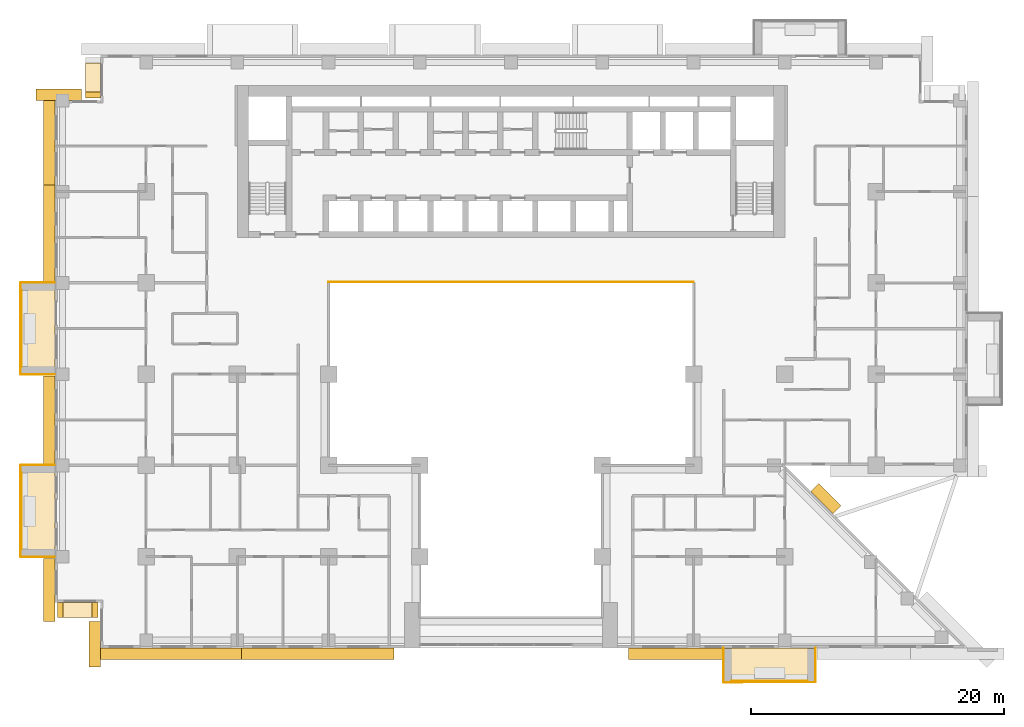
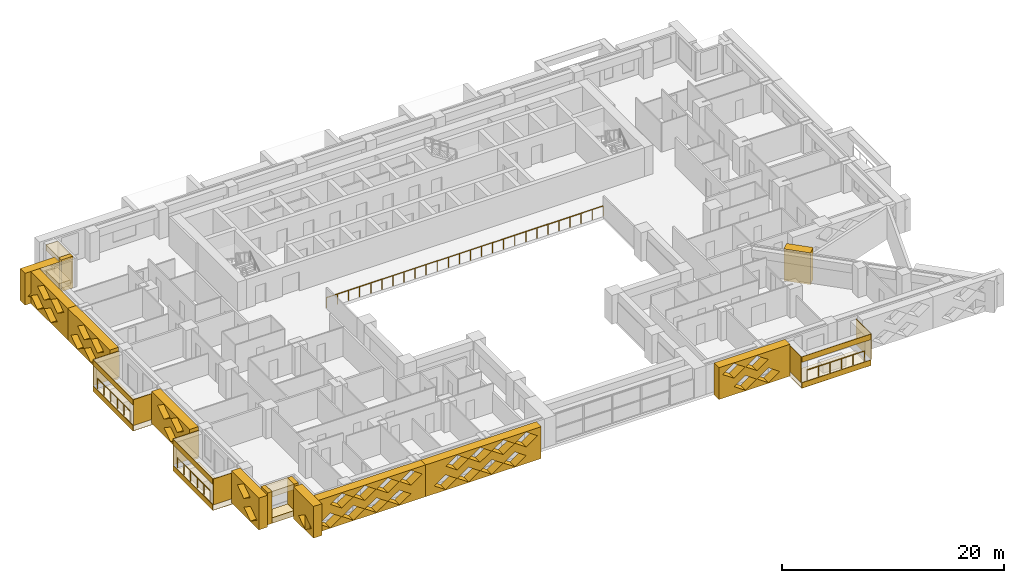
# One storey, part 13 of 16: 32 coverings, 4 railings.
"""IFC4 building model written with IfcOpenShell, lengths in metres."""

import ifcopenshell
import ifcopenshell.guid

model = None  # the IFC model being written
_history = None  # IfcOwnerHistory: only IFC2X3 demands one
_inside = {}  # id of a spatial element -> (the spatial element, [elements in it])
_under = {}  # id of a project, library or spatial element -> (it, [spatial elements below it])
_declared = {}  # id of a project -> (the project, [libraries it declares])
_typed = {}  # id of a type object -> (the type object, [elements of that type])
_made_of = {}  # id of a material, layer set ... -> (it, [elements and type objects made of it])


def new_model(schema):
    """Start an empty IFC model of exactly this schema.

    Asked for "IFC4X3", IfcOpenShell would pick the latest addendum, in which some entities
    have other attributes; the version numbers below select the first issue.
    IFC2X3 requires an IfcOwnerHistory on every rooted entity: one is made here for all.
    """
    global model, _history
    if schema == "IFC4X3":
        model = ifcopenshell.file(schema_version=(4, 3, 0, 0))
    else:
        model = ifcopenshell.file(schema=schema)
    _inside.clear()
    _under.clear()
    _declared.clear()
    _typed.clear()
    _made_of.clear()
    _history = None
    if model.schema == "IFC2X3":
        org = make("IfcOrganization", Name="unknown")
        user = make(
            "IfcPersonAndOrganization",
            ThePerson=make("IfcPerson", FamilyName="unknown"),
            TheOrganization=org,
        )
        app = make(
            "IfcApplication",
            ApplicationDeveloper=org,
            Version="unknown",
            ApplicationFullName="unknown",
            ApplicationIdentifier="unknown",
        )
        _history = make(
            "IfcOwnerHistory",
            OwningUser=user,
            OwningApplication=app,
            ChangeAction="ADDED",
            CreationDate=0,
        )
    return model


def make(cls, **values):
    """One entity of the class cls with the attributes given. An attribute that is None is left unset."""
    return model.create_entity(
        cls, **{name: value for name, value in values.items() if value is not None}
    )


def rooted(cls, **values):
    """An entity with a GlobalId (a new one), such as an element, a storey or a relation."""
    return make(cls, GlobalId=ifcopenshell.guid.new(), OwnerHistory=_history, **values)


def si_unit(unit_type, name, prefix=None):
    """IfcSIUnit, for example si_unit("LENGTHUNIT", "METRE", prefix="MILLI")."""
    return make("IfcSIUnit", UnitType=unit_type, Prefix=prefix, Name=name)


def assignment(units):
    """IfcUnitAssignment: the units of a project."""
    return None if units is None else make("IfcUnitAssignment", Units=units)


def point(xyz):
    """IfcCartesianPoint."""
    return None if xyz is None else make("IfcCartesianPoint", Coordinates=xyz)


def direction(xyz):
    """IfcDirection."""
    return None if xyz is None else make("IfcDirection", DirectionRatios=xyz)


def frame(location, z_axis=None, x_axis=None):
    """IfcAxis2Placement3D, a coordinate frame: its origin and axes. An axis left out is left unset."""
    return make(
        "IfcAxis2Placement3D",
        Location=point(location),
        Axis=direction(z_axis),
        RefDirection=direction(x_axis),
    )


def frame_2d(location, x_axis=None):
    """IfcAxis2Placement2D, a coordinate frame in the plane: its origin and x axis."""
    return make(
        "IfcAxis2Placement2D", Location=point(location), RefDirection=direction(x_axis)
    )


def origin():
    """The frame at (0, 0, 0) with its axes left unset."""
    return frame((0.0, 0.0, 0.0))


def origin_2d():
    """The frame at (0, 0) in the plane with its x axis left unset."""
    return frame_2d((0.0, 0.0))


def place(relative_to, where):
    """IfcLocalPlacement: puts the frame where relative to a parent placement (None: the world)."""
    return make(
        "IfcLocalPlacement", PlacementRelTo=relative_to, RelativePlacement=where
    )


def context(
    kind, dimensions, precision=None, world=None, true_north=None, identifier=None
):
    """IfcGeometricRepresentationContext, for example the 3D "Model" context."""
    return make(
        "IfcGeometricRepresentationContext",
        ContextIdentifier=identifier,
        ContextType=kind,
        CoordinateSpaceDimension=dimensions,
        Precision=precision,
        WorldCoordinateSystem=world,
        TrueNorth=true_north,
    )


def subcontext(parent, identifier, kind, view, scale=None):
    """IfcGeometricRepresentationSubContext, for example "Body" below "Model"."""
    return make(
        "IfcGeometricRepresentationSubContext",
        ContextIdentifier=identifier,
        ContextType=kind,
        ParentContext=parent,
        TargetScale=scale,
        TargetView=view,
    )


def project(units=None, contexts=None):
    """IfcProject with its units and contexts."""
    return rooted(
        "IfcProject",
        Name="project",
        RepresentationContexts=contexts,
        UnitsInContext=assignment(units),
    )


def spatial(cls, under=None, at=None, **own):
    """A site, building, storey or space (cls), placed at a placement, below another one or the project."""
    s = rooted(cls, ObjectPlacement=at, **own)
    if under is not None:
        _under.setdefault(under.id(), (under, []))[1].append(s)
    return s


def polyline(points):
    """IfcPolyline through the points."""
    return make("IfcPolyline", Points=[point(p) for p in points])


def profile(cls, at=None, kind="AREA", **sizes):
    """A parametric profile (cls). Its sizes go by their IFC names, for example OverallWidth=200.0."""
    return make(cls, ProfileType=kind, Position=at, **sizes)


def circle(**sizes):
    """IfcCircleProfileDef."""
    return profile("IfcCircleProfileDef", **sizes)


def outline(outer, holes=None, kind="AREA"):
    """IfcArbitraryClosedProfileDef: a profile drawn as a closed curve; with holes, ...WithVoids."""
    if holes is None:
        return make("IfcArbitraryClosedProfileDef", ProfileType=kind, OuterCurve=outer)
    return make(
        "IfcArbitraryProfileDefWithVoids",
        ProfileType=kind,
        OuterCurve=outer,
        InnerCurves=holes,
    )


def extrude(swept, where, along, depth):
    """IfcExtrudedAreaSolid: the profile swept, set in the frame where, extruded along a direction by depth."""
    return make(
        "IfcExtrudedAreaSolid",
        SweptArea=swept,
        Position=where,
        ExtrudedDirection=direction(along),
        Depth=depth,
    )


def shape(context_of_items, identifier, shape_type, items):
    """IfcShapeRepresentation: the items that make up one representation, for example the "Body"."""
    return make(
        "IfcShapeRepresentation",
        ContextOfItems=context_of_items,
        RepresentationIdentifier=identifier,
        RepresentationType=shape_type,
        Items=items,
    )


def material(Name=None, Category=None):
    """IfcMaterial."""
    return make("IfcMaterial", Name=Name, Category=Category)


def layer(
    of_material, thickness, ventilated=None, Name=None, Category=None, Priority=None
):
    """IfcMaterialLayer: one layer of a wall or slab, of a material (None: an air gap)."""
    return make(
        "IfcMaterialLayer",
        Material=of_material,
        LayerThickness=thickness,
        IsVentilated=ventilated,
        Name=Name,
        Category=Category,
        Priority=Priority,
    )


def layer_set(layers, Name=None):
    """IfcMaterialLayerSet."""
    return make("IfcMaterialLayerSet", MaterialLayers=layers, LayerSetName=Name)


def made_of(thing, what):
    """Note that an element or type object is made of a material, layer set ...; save() writes the relation."""
    if what is not None:
        _made_of.setdefault(what.id(), (what, []))[1].append(thing)
    return thing


def type_object(cls, material=None, **own):
    """A type object (cls), such as IfcWallType, which elements share."""
    return made_of(rooted(cls, **own), material)


def element(
    cls,
    number,
    at=None,
    inside=None,
    cuts=None,
    type_object=None,
    material=None,
    context=None,
    identifier="Body",
    shape_type=None,
    held_by="IfcProductDefinitionShape",
    body=None,
    shapes=None,
    **own,
):
    """One element of the class cls, such as IfcWall. Its Tag is "e" and its number.

    at: its placement. inside: the storey or other place that contains it. cuts: it is an
    opening in that element (IfcRelVoidsElement). A single representation is given by context,
    identifier, shape_type and body (its items); several are given by shapes. held_by: the class
    of the entity that holds the representations. save() writes the other relations.
    """
    e = rooted(cls, Tag="e%d" % number, ObjectPlacement=at, **own)
    if body is not None:
        shapes = [shape(context, identifier, shape_type, body)]
    if shapes is not None:
        e.Representation = make(held_by, Representations=shapes)
    if inside is not None:
        _inside.setdefault(inside.id(), (inside, []))[1].append(e)
    if cuts is not None:
        rooted(
            "IfcRelVoidsElement", RelatingBuildingElement=cuts, RelatedOpeningElement=e
        )
    if type_object is not None:
        _typed.setdefault(type_object.id(), (type_object, []))[1].append(e)
    return made_of(e, material)


def aggregate(whole, parts):
    """IfcRelAggregates: a whole, such as a stair, and the parts it consists of."""
    return rooted("IfcRelAggregates", RelatingObject=whole, RelatedObjects=parts)


def save(model, path):
    """Write the relations noted so far, then the file.

    IfcRelAggregates (storeys below a building ...), IfcRelContainedInSpatialStructure (elements
    in a storey), IfcRelDefinesByType, IfcRelAssociatesMaterial and IfcRelDeclares: one each for
    every whole, place, type object, material and project.
    """
    for whole, parts in _under.values():
        aggregate(whole, parts)
    for where, things in _inside.values():
        rooted(
            "IfcRelContainedInSpatialStructure",
            RelatedElements=things,
            RelatingStructure=where,
        )
    for kind, things in _typed.values():
        rooted("IfcRelDefinesByType", RelatedObjects=things, RelatingType=kind)
    for what, things in _made_of.values():
        rooted("IfcRelAssociatesMaterial", RelatedObjects=things, RelatingMaterial=what)
    for by, libraries in _declared.values():
        rooted("IfcRelDeclares", RelatingContext=by, RelatedDefinitions=libraries)
    model.write(path)


model = new_model("IFC4")

# Units and contexts
model_context = context("Model", 3, precision=1e-05, world=origin(), true_north=direction((0.0, 1.0)))
body_context = subcontext(model_context, "Body", "Model", "MODEL_VIEW")
ifc_project = project(units=[si_unit("LENGTHUNIT", "METRE"), si_unit("AREAUNIT", "SQUARE_METRE"), si_unit("VOLUMEUNIT", "CUBIC_METRE"), si_unit("PLANEANGLEUNIT", "RADIAN"), si_unit("MASSUNIT", "GRAM", prefix="KILO")], contexts=[model_context])

# Site, building, storey
site_placement = place(None, origin())
site = spatial("IfcSite", under=ifc_project, at=site_placement, CompositionType="ELEMENT")
building_placement = place(site_placement, origin())
building = spatial("IfcBuilding", under=site, at=building_placement, Name="Saffron Iwan Residences", CompositionType="ELEMENT")
storey_placement = place(building_placement, frame((0.0, 0.0, 90.0)))
storey = spatial("IfcBuildingStorey", under=building, at=storey_placement, Name="L23", CompositionType="ELEMENT", Elevation=90.0)

# Railings
ifc_material_1 = material(Name="Stainless steel 316", Category="steel")
railing_type_1 = type_object("IfcRailingType", Name="Atrium guard 1150", PredefinedType="GUARDRAIL", material=ifc_material_1)
railing_1_placement = place(storey_placement, frame((36.0, 62.47509765625, 0.0)))
element("IfcRailing", 1, at=railing_1_placement, inside=storey, type_object=railing_type_1, Name="Atrium guard L23", PredefinedType="GUARDRAIL", context=body_context, shape_type="SweptSolid", body=[
    extrude(circle(Radius=0.02392578125, at=origin_2d()), frame((0.0, 0.0, 1.1259765625), z_axis=(1.0, 0.0, 0.0), x_axis=(0.0, 1.0, 0.0)), (0.0, 0.0, 1.0), 28.800048828125),
    extrude(circle(Radius=0.02099609375, at=origin_2d()), origin(), (0.0, 0.0, 1.0), 1.101806640625),
    extrude(circle(Radius=0.02099609375, at=origin_2d()), frame((1.152099609375, 0.0, 0.0)), (0.0, 0.0, 1.0), 1.101806640625),
    extrude(circle(Radius=0.02099609375, at=origin_2d()), frame((2.303955078125, 0.0, 0.0)), (0.0, 0.0, 1.0), 1.101806640625),
    extrude(circle(Radius=0.02099609375, at=origin_2d()), frame((3.4560546875, 0.0, 0.0)), (0.0, 0.0, 1.0), 1.101806640625),
    extrude(circle(Radius=0.02099609375, at=origin_2d()), frame((4.60791015625, 0.0, 0.0)), (0.0, 0.0, 1.0), 1.101806640625),
    extrude(circle(Radius=0.02099609375, at=origin_2d()), frame((5.760009765625, 0.0, 0.0)), (0.0, 0.0, 1.0), 1.101806640625),
    extrude(circle(Radius=0.02099609375, at=origin_2d()), frame((6.912109375, 0.0, 0.0)), (0.0, 0.0, 1.0), 1.101806640625),
    extrude(circle(Radius=0.02099609375, at=origin_2d()), frame((8.06396484375, 0.0, 0.0)), (0.0, 0.0, 1.0), 1.101806640625),
    extrude(circle(Radius=0.02099609375, at=origin_2d()), frame((9.216064453125, 0.0, 0.0)), (0.0, 0.0, 1.0), 1.101806640625),
    extrude(circle(Radius=0.02099609375, at=origin_2d()), frame((10.367919921875, 0.0, 0.0)), (0.0, 0.0, 1.0), 1.101806640625),
    extrude(circle(Radius=0.02099609375, at=origin_2d()), frame((11.52001953125, 0.0, 0.0)), (0.0, 0.0, 1.0), 1.101806640625),
    extrude(circle(Radius=0.02099609375, at=origin_2d()), frame((12.672119140625, 0.0, 0.0)), (0.0, 0.0, 1.0), 1.101806640625),
    extrude(circle(Radius=0.02099609375, at=origin_2d()), frame((13.823974609375, 0.0, 0.0)), (0.0, 0.0, 1.0), 1.101806640625),
    extrude(circle(Radius=0.02099609375, at=origin_2d()), frame((14.97607421875, 0.0, 0.0)), (0.0, 0.0, 1.0), 1.101806640625),
    extrude(circle(Radius=0.02099609375, at=origin_2d()), frame((16.1279296875, 0.0, 0.0)), (0.0, 0.0, 1.0), 1.101806640625),
    extrude(circle(Radius=0.02099609375, at=origin_2d()), frame((17.280029296875, 0.0, 0.0)), (0.0, 0.0, 1.0), 1.101806640625),
    extrude(circle(Radius=0.02099609375, at=origin_2d()), frame((18.43212890625, 0.0, 0.0)), (0.0, 0.0, 1.0), 1.101806640625),
    extrude(circle(Radius=0.02099609375, at=origin_2d()), frame((19.583984375, 0.0, 0.0)), (0.0, 0.0, 1.0), 1.101806640625),
    extrude(circle(Radius=0.02099609375, at=origin_2d()), frame((20.736083984375, 0.0, 0.0)), (0.0, 0.0, 1.0), 1.101806640625),
    extrude(circle(Radius=0.02099609375, at=origin_2d()), frame((21.887939453125, 0.0, 0.0)), (0.0, 0.0, 1.0), 1.101806640625),
    extrude(circle(Radius=0.02099609375, at=origin_2d()), frame((23.0400390625, 0.0, 0.0)), (0.0, 0.0, 1.0), 1.101806640625),
    extrude(circle(Radius=0.02099609375, at=origin_2d()), frame((24.192138671875, 0.0, 0.0)), (0.0, 0.0, 1.0), 1.101806640625),
    extrude(circle(Radius=0.02099609375, at=origin_2d()), frame((25.343994140625, 0.0, 0.0)), (0.0, 0.0, 1.0), 1.101806640625),
    extrude(circle(Radius=0.02099609375, at=origin_2d()), frame((26.49609375, 0.0, 0.0)), (0.0, 0.0, 1.0), 1.101806640625),
    extrude(circle(Radius=0.02099609375, at=origin_2d()), frame((27.64794921875, 0.0, 0.0)), (0.0, 0.0, 1.0), 1.101806640625),
    extrude(circle(Radius=0.02099609375, at=origin_2d()), frame((28.800048828125, 0.0, 0.0)), (0.0, 0.0, 1.0), 1.101806640625),
])
railing_type_2 = type_object("IfcRailingType", Name="BALCONY GUARD 1150", PredefinedType="GUARDRAIL", material=ifc_material_1)
for number, where, name in (
    (2, (11.77490234375, 61.800048828125, 0.0), "Balcony guard L23 F8-0"),
    (3, (11.77490234375, 47.39990234375, 0.0), "Balcony guard L23 F8-1"),
):
    element("IfcRailing", number, at=place(storey_placement, frame(where)), inside=storey, type_object=railing_type_2, Name=name, PredefinedType="GUARDRAIL", context=body_context, shape_type="SweptSolid", body=[
        extrude(circle(Radius=0.02392578125, at=origin_2d()), frame((0.0, 0.0, 1.1259765625), z_axis=(0.0, -1.0, 0.0), x_axis=(1.0, 0.0, 0.0)), (0.0, 0.0, 1.0), 6.0),
        extrude(circle(Radius=0.02099609375, at=origin_2d()), origin(), (0.0, 0.0, 1.0), 1.101806640625),
        extrude(circle(Radius=0.02099609375, at=origin_2d()), frame((0.0, -1.199951171875, 0.0)), (0.0, 0.0, 1.0), 1.101806640625),
        extrude(circle(Radius=0.02099609375, at=origin_2d()), frame((0.0, -2.39990234375, 0.0)), (0.0, 0.0, 1.0), 1.101806640625),
        extrude(circle(Radius=0.02099609375, at=origin_2d()), frame((0.0, -3.60009765625, 0.0)), (0.0, 0.0, 1.0), 1.101806640625),
        extrude(circle(Radius=0.02099609375, at=origin_2d()), frame((0.0, -4.800048828125, 0.0)), (0.0, 0.0, 1.0), 1.101806640625),
        extrude(circle(Radius=0.02099609375, at=origin_2d()), frame((0.0, -6.0, 0.0)), (0.0, 0.0, 1.0), 1.101806640625),
    ])
railing_2_placement = place(storey_placement, frame((67.800048828125, 30.97509765625, 0.0)))
element("IfcRailing", 4, at=railing_2_placement, inside=storey, type_object=railing_type_2, Name="Balcony guard L23 11-1", PredefinedType="GUARDRAIL", context=body_context, shape_type="SweptSolid", body=[
    extrude(circle(Radius=0.02392578125, at=origin_2d()), frame((0.0, 0.0, 1.1259765625), z_axis=(1.0, 0.0, 0.0), x_axis=(0.0, 1.0, 0.0)), (0.0, 0.0, 1.0), 6.0),
    extrude(circle(Radius=0.02099609375, at=origin_2d()), origin(), (0.0, 0.0, 1.0), 1.101806640625),
    extrude(circle(Radius=0.02099609375, at=origin_2d()), frame((1.199951171875, 0.0, 0.0)), (0.0, 0.0, 1.0), 1.101806640625),
    extrude(circle(Radius=0.02099609375, at=origin_2d()), frame((2.39990234375, 0.0, 0.0)), (0.0, 0.0, 1.0), 1.101806640625),
    extrude(circle(Radius=0.02099609375, at=origin_2d()), frame((3.60009765625, 0.0, 0.0)), (0.0, 0.0, 1.0), 1.101806640625),
    extrude(circle(Radius=0.02099609375, at=origin_2d()), frame((4.800048828125, 0.0, 0.0)), (0.0, 0.0, 1.0), 1.101806640625),
    extrude(circle(Radius=0.02099609375, at=origin_2d()), frame((6.0, 0.0, 0.0)), (0.0, 0.0, 1.0), 1.101806640625),
])

# Coverings
ifc_material_2 = material(Name="Precast concrete C40/50 white painted", Category="concrete")
ifc_layer = layer(ifc_material_2, 0.050048828125)
ifc_layer_set = layer_set([ifc_layer], Name="Precast concrete C40/50 white painted")
covering_type_1 = type_object("IfcCoveringType", Name="FRAME SKIN PRECAST WHITE 50", PredefinedType="CLADDING", material=ifc_layer_set)
for number, where, name in (
    (5, (0.0, 0.0, -0.60009765625), "Frame skin slab edge L23 F8-0"),
    (6, (0.0, 0.0, 2.25), "Frame skin fascia L23 F8-0"),
):
    element("IfcCovering", number, at=place(storey_placement, frame(where)), inside=storey, type_object=covering_type_1, Name=name, PredefinedType="CLADDING", context=body_context, shape_type="SweptSolid", body=[
        extrude(outline(polyline([(11.64990234375, 62.39990234375), (11.64990234375, 55.199951171875), (11.699951171875, 55.199951171875), (11.699951171875, 62.39990234375), (11.64990234375, 62.39990234375)])), origin(), (0.0, 0.0, 1.0), 0.60009765625),
    ])
covering_1_placement = place(storey_placement, frame((0.0, 0.0, -0.64990234375)))
element("IfcCovering", 7, at=covering_1_placement, inside=storey, type_object=covering_type_1, Name="Frame skin soffit L23 F8-0", PredefinedType="CLADDING", context=body_context, shape_type="SweptSolid", body=[
    extrude(outline(polyline([(11.699951171875, 62.39990234375), (11.699951171875, 55.199951171875), (14.39990234375, 55.199951171875), (14.39990234375, 62.39990234375), (11.699951171875, 62.39990234375)])), origin(), (0.0, 0.0, 1.0), 0.0498046875),
])
covering_2_placement = place(storey_placement, origin())
element("IfcCovering", 8, at=covering_2_placement, inside=storey, type_object=covering_type_1, Name="Frame skin fin L23 F8-0a", PredefinedType="CLADDING", context=body_context, shape_type="SweptSolid", body=[
    extrude(outline(polyline([(11.699951171875, 62.449951171875), (11.699951171875, 62.39990234375), (14.39990234375, 62.39990234375), (14.39990234375, 62.449951171875), (11.699951171875, 62.449951171875)])), origin(), (0.0, 0.0, 1.0), 2.85009765625),
])
covering_3_placement = place(storey_placement, origin())
element("IfcCovering", 9, at=covering_3_placement, inside=storey, type_object=covering_type_1, Name="Frame skin fin L23 F8-0b", PredefinedType="CLADDING", context=body_context, shape_type="SweptSolid", body=[
    extrude(outline(polyline([(11.699951171875, 55.199951171875), (11.699951171875, 55.14990234375), (14.39990234375, 55.14990234375), (14.39990234375, 55.199951171875), (11.699951171875, 55.199951171875)])), origin(), (0.0, 0.0, 1.0), 2.85009765625),
])
for number, where, name in (
    (10, (0.0, 0.0, -0.60009765625), "Frame skin slab edge L23 F8-1"),
    (11, (0.0, 0.0, 2.25), "Frame skin fascia L23 F8-1"),
):
    element("IfcCovering", number, at=place(storey_placement, frame(where)), inside=storey, type_object=covering_type_1, Name=name, PredefinedType="CLADDING", context=body_context, shape_type="SweptSolid", body=[
        extrude(outline(polyline([(11.64990234375, 48.0), (11.64990234375, 40.800048828125), (11.699951171875, 40.800048828125), (11.699951171875, 48.0), (11.64990234375, 48.0)])), origin(), (0.0, 0.0, 1.0), 0.60009765625),
    ])
covering_4_placement = place(storey_placement, frame((0.0, 0.0, -0.64990234375)))
element("IfcCovering", 12, at=covering_4_placement, inside=storey, type_object=covering_type_1, Name="Frame skin soffit L23 F8-1", PredefinedType="CLADDING", context=body_context, shape_type="SweptSolid", body=[
    extrude(outline(polyline([(11.699951171875, 48.0), (11.699951171875, 40.800048828125), (14.39990234375, 40.800048828125), (14.39990234375, 48.0), (11.699951171875, 48.0)])), origin(), (0.0, 0.0, 1.0), 0.0498046875),
])
covering_5_placement = place(storey_placement, origin())
element("IfcCovering", 13, at=covering_5_placement, inside=storey, type_object=covering_type_1, Name="Frame skin fin L23 F8-1a", PredefinedType="CLADDING", context=body_context, shape_type="SweptSolid", body=[
    extrude(outline(polyline([(11.699951171875, 48.050048828125), (11.699951171875, 48.0), (14.39990234375, 48.0), (14.39990234375, 48.050048828125), (11.699951171875, 48.050048828125)])), origin(), (0.0, 0.0, 1.0), 2.85009765625),
])
covering_6_placement = place(storey_placement, origin())
element("IfcCovering", 14, at=covering_6_placement, inside=storey, type_object=covering_type_1, Name="Frame skin fin L23 F8-1b", PredefinedType="CLADDING", context=body_context, shape_type="SweptSolid", body=[
    extrude(outline(polyline([(11.699951171875, 40.800048828125), (11.699951171875, 40.75), (14.39990234375, 40.75), (14.39990234375, 40.800048828125), (11.699951171875, 40.800048828125)])), origin(), (0.0, 0.0, 1.0), 2.85009765625),
])
for number, where, name in (
    (15, (0.0, 0.0, -0.60009765625), "Frame skin slab edge L23 11-1"),
    (16, (0.0, 0.0, 2.25), "Frame skin fascia L23 11-1"),
):
    element("IfcCovering", number, at=place(storey_placement, frame(where)), inside=storey, type_object=covering_type_1, Name=name, PredefinedType="CLADDING", context=body_context, shape_type="SweptSolid", body=[
        extrude(outline(polyline([(67.199951171875, 30.85009765625), (74.39990234375, 30.85009765625), (74.39990234375, 30.89990234375), (67.199951171875, 30.89990234375), (67.199951171875, 30.85009765625)])), origin(), (0.0, 0.0, 1.0), 0.60009765625),
    ])
covering_7_placement = place(storey_placement, frame((0.0, 0.0, -0.64990234375)))
element("IfcCovering", 17, at=covering_7_placement, inside=storey, type_object=covering_type_1, Name="Frame skin soffit L23 11-1", PredefinedType="CLADDING", context=body_context, shape_type="SweptSolid", body=[
    extrude(outline(polyline([(67.199951171875, 30.89990234375), (74.39990234375, 30.89990234375), (74.39990234375, 33.60009765625), (67.199951171875, 33.60009765625), (67.199951171875, 30.89990234375)])), origin(), (0.0, 0.0, 1.0), 0.0498046875),
])
covering_8_placement = place(storey_placement, origin())
element("IfcCovering", 18, at=covering_8_placement, inside=storey, type_object=covering_type_1, Name="Frame skin fin L23 11-1a", PredefinedType="CLADDING", context=body_context, shape_type="SweptSolid", body=[
    extrude(outline(polyline([(67.14990234375, 30.89990234375), (67.199951171875, 30.89990234375), (67.199951171875, 33.60009765625), (67.14990234375, 33.60009765625), (67.14990234375, 30.89990234375)])), origin(), (0.0, 0.0, 1.0), 2.85009765625),
])
covering_9_placement = place(storey_placement, origin())
element("IfcCovering", 19, at=covering_9_placement, inside=storey, type_object=covering_type_1, Name="Frame skin fin L23 11-1b", PredefinedType="CLADDING", context=body_context, shape_type="SweptSolid", body=[
    extrude(outline(polyline([(74.39990234375, 30.89990234375), (74.449951171875, 30.89990234375), (74.449951171875, 33.60009765625), (74.39990234375, 33.60009765625), (74.39990234375, 30.89990234375)])), origin(), (0.0, 0.0, 1.0), 2.85009765625),
])
ifc_material_3 = material(Name="Precast concrete C40/50", Category="concrete")
covering_type_2 = type_object("IfcCoveringType", Name="OUTER SKIN LATTICE SCREEN", PredefinedType="CLADDING", material=ifc_material_3)
covering_10_placement = place(storey_placement, frame((75.805908203125, 44.194091796875, -0.320068359375), z_axis=(0.707106781187, 0.707106781187, 0.0), x_axis=(-0.707106781187, 0.707106781187, 0.0)))
element("IfcCovering", 20, at=covering_10_placement, inside=storey, type_object=covering_type_2, Name="OUTER SKIN lattice screen L23 F0.1", PredefinedType="CLADDING", context=body_context, shape_type="SweptSolid", body=[
    extrude(outline(polyline([(0.0, 0.0), (2.4853515625, 0.0), (2.4853515625, 3.5), (0.0, 3.5), (0.0, 0.0)])), origin(), (0.0, 0.0, 1.0), 0.900146484375),
])
covering_11_placement = place(storey_placement, frame((16.5, 76.800048828125, -0.320068359375), z_axis=(0.0, 1.0, 0.0), x_axis=(-1.0, 0.0, 0.0)))
element("IfcCovering", 21, at=covering_11_placement, inside=storey, type_object=covering_type_2, Name="OUTER SKIN lattice screen L23 F7.0", PredefinedType="CLADDING", context=body_context, shape_type="SweptSolid", body=[
    extrude(outline(polyline([(0.0, 0.0), (3.60009765625, 0.0), (3.60009765625, 3.5), (0.0, 3.5), (0.0, 0.0)]), holes=[polyline([(0.919921875, 0.875), (2.10009765625, 0.06005859375), (3.280029296875, 0.875), (2.10009765625, 1.68994140625), (0.919921875, 0.875)])]), origin(), (0.0, 0.0, 1.0), 0.89990234375),
])
covering_12_placement = place(storey_placement, frame((14.39990234375, 77.699951171875, -0.320068359375), z_axis=(-1.0, 0.0, 0.0), x_axis=(0.0, -1.0, 0.0)))
element("IfcCovering", 22, at=covering_12_placement, inside=storey, type_object=covering_type_2, Name="OUTER SKIN lattice screen L23 F8.0", PredefinedType="CLADDING", context=body_context, shape_type="SweptSolid", body=[
    extrude(outline(polyline([(0.0, 0.0), (7.574951171875, 0.0), (7.574951171875, 3.5), (0.0, 3.5), (0.0, 0.0)]), holes=[polyline([(0.919921875, 0.875), (2.10009765625, 0.06005859375), (3.280029296875, 0.875), (2.10009765625, 1.68994140625), (0.919921875, 0.875)]), polyline([(3.320068359375, 0.875), (4.5, 0.06005859375), (5.679931640625, 0.875), (4.5, 1.68994140625), (3.320068359375, 0.875)]), polyline([(2.1201171875, 2.625), (3.300048828125, 1.81005859375), (4.47998046875, 2.625), (3.300048828125, 3.43994140625), (2.1201171875, 2.625)]), polyline([(4.52001953125, 2.625), (5.699951171875, 1.81005859375), (6.8798828125, 2.625), (5.699951171875, 3.43994140625), (4.52001953125, 2.625)])]), origin(), (0.0, 0.0, 1.0), 0.89990234375),
])
covering_13_placement = place(storey_placement, frame((14.39990234375, 70.125, -0.320068359375), z_axis=(-1.0, 0.0, 0.0), x_axis=(0.0, -1.0, 0.0)))
element("IfcCovering", 23, at=covering_13_placement, inside=storey, type_object=covering_type_2, Name="OUTER SKIN lattice screen L23 F8.1", PredefinedType="CLADDING", context=body_context, shape_type="SweptSolid", body=[
    extrude(outline(polyline([(0.0, 0.0), (7.574951171875, 0.0), (7.574951171875, 3.5), (0.0, 3.5), (0.0, 0.0)]), holes=[polyline([(0.544921875, 0.875), (1.72509765625, 0.06005859375), (2.905029296875, 0.875), (1.72509765625, 1.68994140625), (0.544921875, 0.875)]), polyline([(2.945068359375, 0.875), (4.125, 0.06005859375), (5.304931640625, 0.875), (4.125, 1.68994140625), (2.945068359375, 0.875)]), polyline([(1.7451171875, 2.625), (2.925048828125, 1.81005859375), (4.10498046875, 2.625), (2.925048828125, 3.43994140625), (1.7451171875, 2.625)]), polyline([(4.14501953125, 2.625), (5.324951171875, 1.81005859375), (6.5048828125, 2.625), (5.324951171875, 3.43994140625), (4.14501953125, 2.625)])]), origin(), (0.0, 0.0, 1.0), 0.89990234375),
])
covering_14_placement = place(storey_placement, frame((14.39990234375, 55.050048828125, -0.320068359375), z_axis=(-1.0, 0.0, 0.0), x_axis=(0.0, -1.0, 0.0)))
element("IfcCovering", 24, at=covering_14_placement, inside=storey, type_object=covering_type_2, Name="OUTER SKIN lattice screen L23 F8.2", PredefinedType="CLADDING", context=body_context, shape_type="SweptSolid", body=[
    extrude(outline(polyline([(0.0, 0.0), (6.89990234375, 0.0), (6.89990234375, 3.5), (0.0, 3.5), (0.0, 0.0)]), holes=[polyline([(2.27001953125, 0.875), (3.449951171875, 0.06005859375), (4.6298828125, 0.875), (3.449951171875, 1.68994140625), (2.27001953125, 0.875)]), polyline([(1.070068359375, 2.625), (2.25, 1.81005859375), (3.429931640625, 2.625), (2.25, 3.43994140625), (1.070068359375, 2.625)]), polyline([(3.469970703125, 2.625), (4.64990234375, 1.81005859375), (5.830078125, 2.625), (4.64990234375, 3.43994140625), (3.469970703125, 2.625)])]), origin(), (0.0, 0.0, 1.0), 0.89990234375),
])
covering_15_placement = place(storey_placement, frame((14.39990234375, 40.64990234375, -0.320068359375), z_axis=(-1.0, 0.0, 0.0), x_axis=(0.0, -1.0, 0.0)))
element("IfcCovering", 25, at=covering_15_placement, inside=storey, type_object=covering_type_2, Name="OUTER SKIN lattice screen L23 F8.3", PredefinedType="CLADDING", context=body_context, shape_type="SweptSolid", body=[
    extrude(outline(polyline([(0.0, 0.0), (4.949951171875, 0.0), (4.949951171875, 3.5), (0.0, 3.5), (0.0, 0.0)]), holes=[polyline([(2.27001953125, 0.875), (3.449951171875, 0.06005859375), (4.6298828125, 0.875), (3.449951171875, 1.68994140625), (2.27001953125, 0.875)]), polyline([(1.070068359375, 2.625), (2.25, 1.81005859375), (3.429931640625, 2.625), (2.25, 3.43994140625), (1.070068359375, 2.625)])]), origin(), (0.0, 0.0, 1.0), 0.89990234375),
])
covering_16_placement = place(storey_placement, frame((18.0, 35.699951171875, -0.320068359375), z_axis=(-1.0, 0.0, 0.0), x_axis=(0.0, -1.0, 0.0)))
element("IfcCovering", 26, at=covering_16_placement, inside=storey, type_object=covering_type_2, Name="OUTER SKIN lattice screen L23 F10.0", PredefinedType="CLADDING", context=body_context, shape_type="SweptSolid", body=[
    extrude(outline(polyline([(0.0, 0.0), (3.60009765625, 0.0), (3.60009765625, 3.5), (0.0, 3.5), (0.0, 0.0)]), holes=[polyline([(0.919921875, 0.875), (2.10009765625, 0.06005859375), (3.280029296875, 0.875), (2.10009765625, 1.68994140625), (0.919921875, 0.875)])]), origin(), (0.0, 0.0, 1.0), 0.89990234375),
])
covering_17_placement = place(storey_placement, frame((17.10009765625, 33.60009765625, -0.320068359375), z_axis=(0.0, -1.0, 0.0), x_axis=(1.0, 0.0, 0.0)))
element("IfcCovering", 27, at=covering_17_placement, inside=storey, type_object=covering_type_2, Name="OUTER SKIN lattice screen L23 F11.0", PredefinedType="CLADDING", context=body_context, shape_type="SweptSolid", body=[
    extrude(outline(polyline([(0.0, 0.0), (12.02490234375, 0.0), (12.02490234375, 3.5), (0.0, 3.5), (0.0, 0.0)]), holes=[polyline([(0.919921875, 0.875), (2.10009765625, 0.06005859375), (3.280029296875, 0.875), (2.10009765625, 1.68994140625), (0.919921875, 0.875)]), polyline([(3.320068359375, 0.875), (4.5, 0.06005859375), (5.679931640625, 0.875), (4.5, 1.68994140625), (3.320068359375, 0.875)]), polyline([(5.719970703125, 0.875), (6.89990234375, 0.06005859375), (8.080078125, 0.875), (6.89990234375, 1.68994140625), (5.719970703125, 0.875)]), polyline([(8.1201171875, 0.875), (9.300048828125, 0.06005859375), (10.47998046875, 0.875), (9.300048828125, 1.68994140625), (8.1201171875, 0.875)]), polyline([(2.1201171875, 2.625), (3.300048828125, 1.81005859375), (4.47998046875, 2.625), (3.300048828125, 3.43994140625), (2.1201171875, 2.625)]), polyline([(4.52001953125, 2.625), (5.699951171875, 1.81005859375), (6.8798828125, 2.625), (5.699951171875, 3.43994140625), (4.52001953125, 2.625)]), polyline([(6.919921875, 2.625), (8.10009765625, 1.81005859375), (9.280029296875, 2.625), (8.10009765625, 3.43994140625), (6.919921875, 2.625)]), polyline([(9.320068359375, 2.625), (10.5, 1.81005859375), (11.679931640625, 2.625), (10.5, 3.43994140625), (9.320068359375, 2.625)])]), origin(), (0.0, 0.0, 1.0), 0.900146484375),
])
covering_18_placement = place(storey_placement, frame((29.125, 33.60009765625, -0.320068359375), z_axis=(0.0, -1.0, 0.0), x_axis=(1.0, 0.0, 0.0)))
element("IfcCovering", 28, at=covering_18_placement, inside=storey, type_object=covering_type_2, Name="OUTER SKIN lattice screen L23 F11.1", PredefinedType="CLADDING", context=body_context, shape_type="SweptSolid", body=[
    extrude(outline(polyline([(0.0, 0.0), (12.02490234375, 0.0), (12.02490234375, 3.5), (0.0, 3.5), (0.0, 0.0)]), holes=[polyline([(0.89501953125, 0.875), (2.074951171875, 0.06005859375), (3.2548828125, 0.875), (2.074951171875, 1.68994140625), (0.89501953125, 0.875)]), polyline([(3.294921875, 0.875), (4.47509765625, 0.06005859375), (5.655029296875, 0.875), (4.47509765625, 1.68994140625), (3.294921875, 0.875)]), polyline([(5.695068359375, 0.875), (6.875, 0.06005859375), (8.054931640625, 0.875), (6.875, 1.68994140625), (5.695068359375, 0.875)]), polyline([(8.094970703125, 0.875), (9.27490234375, 0.06005859375), (10.455078125, 0.875), (9.27490234375, 1.68994140625), (8.094970703125, 0.875)]), polyline([(2.094970703125, 2.625), (3.27490234375, 1.81005859375), (4.455078125, 2.625), (3.27490234375, 3.43994140625), (2.094970703125, 2.625)]), polyline([(4.4951171875, 2.625), (5.675048828125, 1.81005859375), (6.85498046875, 2.625), (5.675048828125, 3.43994140625), (4.4951171875, 2.625)]), polyline([(6.89501953125, 2.625), (8.074951171875, 1.81005859375), (9.2548828125, 2.625), (8.074951171875, 3.43994140625), (6.89501953125, 2.625)]), polyline([(9.294921875, 2.625), (10.47509765625, 1.81005859375), (11.655029296875, 2.625), (10.47509765625, 3.43994140625), (9.294921875, 2.625)])]), origin(), (0.0, 0.0, 1.0), 0.900146484375),
])
covering_19_placement = place(storey_placement, frame((59.64990234375, 33.60009765625, -0.320068359375), z_axis=(0.0, -1.0, 0.0), x_axis=(1.0, 0.0, 0.0)))
element("IfcCovering", 29, at=covering_19_placement, inside=storey, type_object=covering_type_2, Name="OUTER SKIN lattice screen L23 F11.2", PredefinedType="CLADDING", context=body_context, shape_type="SweptSolid", body=[
    extrude(outline(polyline([(0.0, 0.0), (7.39990234375, 0.0), (7.39990234375, 3.5), (0.0, 3.5), (0.0, 0.0)]), holes=[polyline([(1.570068359375, 0.875), (2.75, 0.06005859375), (3.929931640625, 0.875), (2.75, 1.68994140625), (1.570068359375, 0.875)]), polyline([(3.969970703125, 0.875), (5.14990234375, 0.06005859375), (6.330078125, 0.875), (5.14990234375, 1.68994140625), (3.969970703125, 0.875)]), polyline([(0.3701171875, 2.625), (1.550048828125, 1.81005859375), (2.72998046875, 2.625), (1.550048828125, 3.43994140625), (0.3701171875, 2.625)]), polyline([(2.77001953125, 2.625), (3.949951171875, 1.81005859375), (5.1298828125, 2.625), (3.949951171875, 3.43994140625), (2.77001953125, 2.625)])]), origin(), (0.0, 0.0, 1.0), 0.900146484375),
])
covering_type_3 = type_object("IfcCoveringType", Name="WHITE SUN FRAME PRECAST", PredefinedType="CLADDING", material=ifc_material_2)
covering_20_placement = place(storey_placement, frame((18.0, 77.449951171875, -0.320068359375), z_axis=(-1.0, 0.0, 0.0), x_axis=(0.0, -1.0, 0.0)))
element("IfcCovering", 30, at=covering_20_placement, inside=storey, type_object=covering_type_3, Name="Sun frame L23 F6 0.2b", PredefinedType="CLADDING", context=body_context, shape_type="SweptSolid", body=[
    extrude(outline(polyline([(0.0, 0.0), (0.449951171875, 0.0), (0.449951171875, 3.5), (0.0, 3.5), (0.0, 0.0)])), origin(), (0.0, 0.0, 1.0), 1.199951171875),
])
for number, where, z_axis, x_axis, name in (
    (31, (18.0, 79.75, 2.580078125), (-1.0, 0.0, 0.0), (0.0, -1.0, 0.0), "Sun frame L23 F6 0.2h"),
    (32, (18.0, 79.75, -0.320068359375), (-1.0, 0.0, 0.0), (0.0, -1.0, 0.0), "Sun frame L23 F6 0.2s"),
):
    element("IfcCovering", number, at=place(storey_placement, frame(where, z_axis=z_axis, x_axis=x_axis)), inside=storey, type_object=covering_type_3, Name=name, PredefinedType="CLADDING", context=body_context, shape_type="SweptSolid", body=[
        extrude(outline(polyline([(0.0, 0.0), (2.300048828125, 0.0), (2.300048828125, 0.60009765625), (0.0, 0.60009765625), (0.0, 0.0)])), origin(), (0.0, 0.0, 1.0), 1.199951171875),
    ])
for number, where, z_axis, x_axis, name in (
    (33, (14.60009765625, 37.199951171875, -0.320068359375), (0.0, -1.0, 0.0), (1.0, 0.0, 0.0), "Sun frame L23 F9 0.2a"),
    (34, (17.35009765625, 37.199951171875, -0.320068359375), (0.0, -1.0, 0.0), (1.0, 0.0, 0.0), "Sun frame L23 F9 0.2b"),
):
    element("IfcCovering", number, at=place(storey_placement, frame(where, z_axis=z_axis, x_axis=x_axis)), inside=storey, type_object=covering_type_3, Name=name, PredefinedType="CLADDING", context=body_context, shape_type="SweptSolid", body=[
        extrude(outline(polyline([(0.0, 0.0), (0.449951171875, 0.0), (0.449951171875, 3.5), (0.0, 3.5), (0.0, 0.0)])), origin(), (0.0, 0.0, 1.0), 1.199951171875),
    ])
for number, where, z_axis, x_axis, name in (
    (35, (15.050048828125, 37.199951171875, 2.580078125), (0.0, -1.0, 0.0), (1.0, 0.0, 0.0), "Sun frame L23 F9 0.2h"),
    (36, (15.050048828125, 37.199951171875, -0.320068359375), (0.0, -1.0, 0.0), (1.0, 0.0, 0.0), "Sun frame L23 F9 0.2s"),
):
    element("IfcCovering", number, at=place(storey_placement, frame(where, z_axis=z_axis, x_axis=x_axis)), inside=storey, type_object=covering_type_3, Name=name, PredefinedType="CLADDING", context=body_context, shape_type="SweptSolid", body=[
        extrude(outline(polyline([(0.0, 0.0), (2.300048828125, 0.0), (2.300048828125, 0.60009765625), (0.0, 0.60009765625), (0.0, 0.0)])), origin(), (0.0, 0.0, 1.0), 1.199951171875),
    ])

save(model, "model.ifc")
